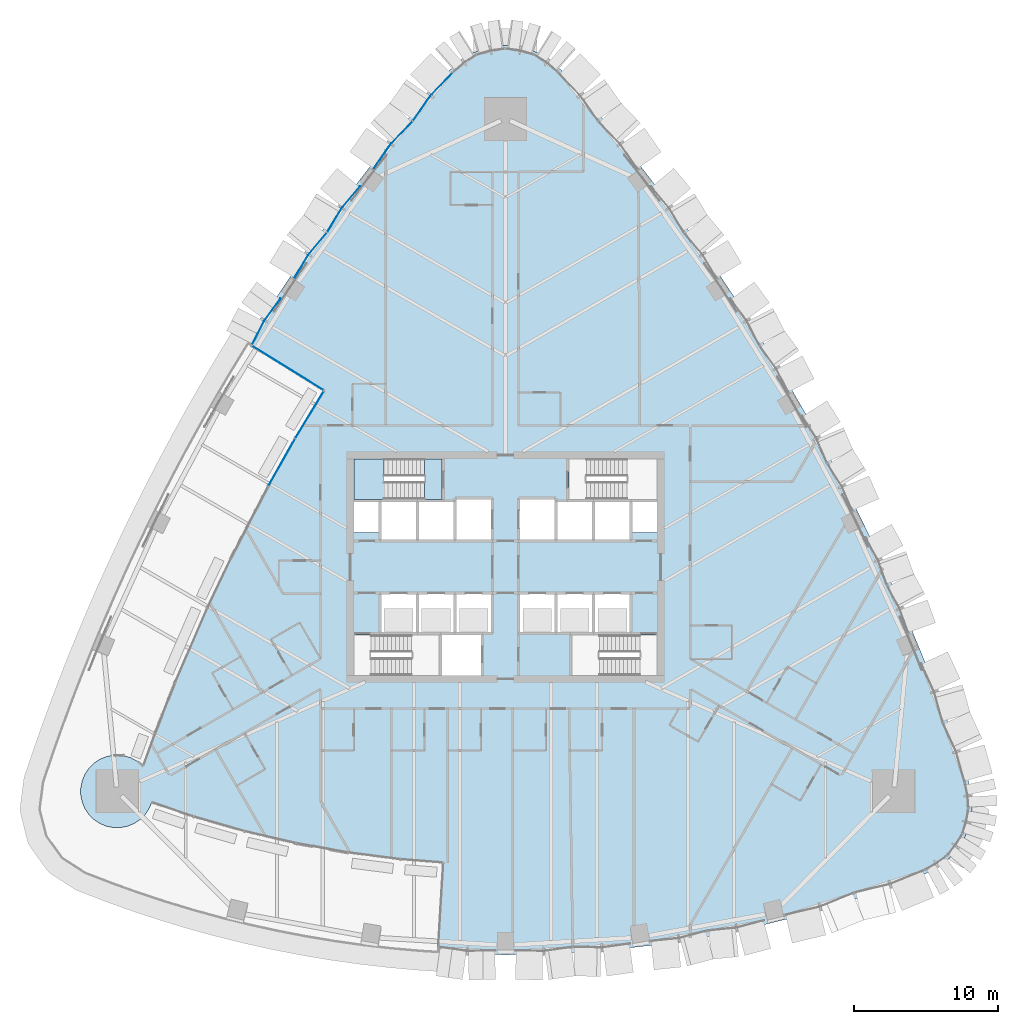
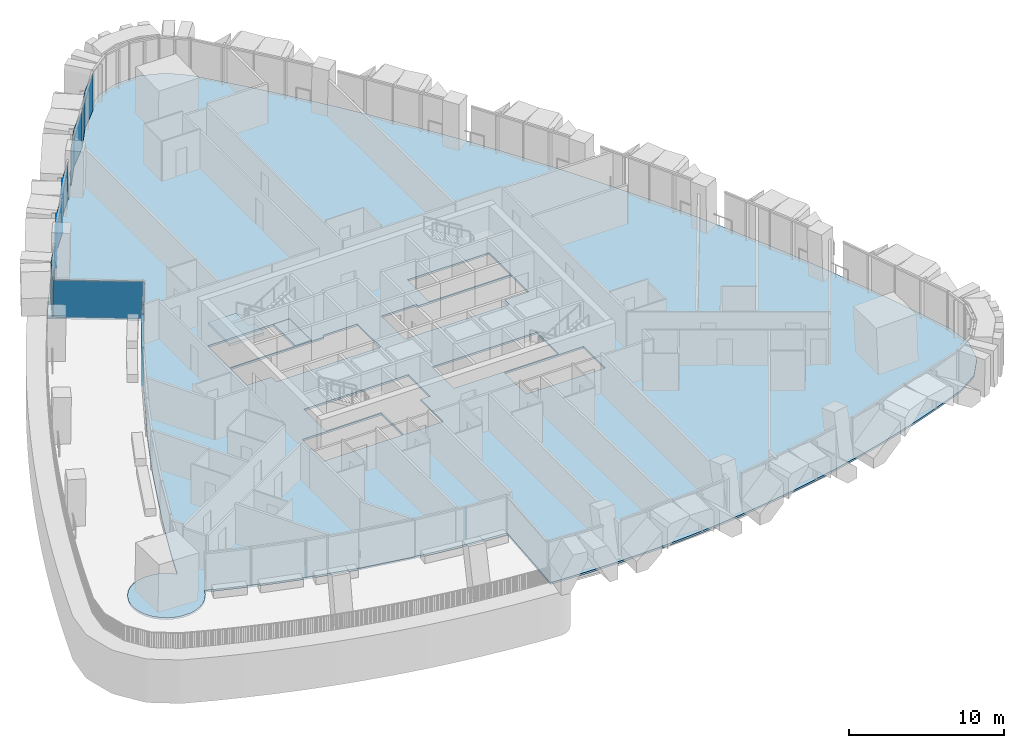
# One storey, part 12 of 24: 13 plates, 3 slabs, 7 elements without a shape of their own.
"""IFC4 building model written with IfcOpenShell, lengths in metres."""

from ifc_helpers import new_model, si_unit, direction, frame, origin, origin_2d, place, context, subcontext, project, spatial, polyline, rectangle, outline, extrude, material, layer, layer_set, type_object, element, aggregate, save


model = new_model("IFC4")

# Units and contexts
model_context = context("Model", 3, precision=1e-05, world=origin(), true_north=direction((0.0, 1.0)))
body_context = subcontext(model_context, "Body", "Model", "MODEL_VIEW")
ifc_project = project(units=[si_unit("LENGTHUNIT", "METRE"), si_unit("AREAUNIT", "SQUARE_METRE"), si_unit("VOLUMEUNIT", "CUBIC_METRE"), si_unit("PLANEANGLEUNIT", "RADIAN"), si_unit("MASSUNIT", "GRAM", prefix="KILO")], contexts=[model_context])

# Site, building, storey
site_placement = place(None, origin())
site = spatial("IfcSite", under=ifc_project, at=site_placement, CompositionType="ELEMENT")
building_placement = place(site_placement, origin())
building = spatial("IfcBuilding", under=site, at=building_placement, Name="Sierra Prisma Convention Tower", CompositionType="ELEMENT")
storey_placement = place(building_placement, frame((0.0, 0.0, 59.10009765625)))
storey = spatial("IfcBuildingStorey", under=building, at=storey_placement, Name="L10", CompositionType="ELEMENT", Elevation=59.10009765625)

# Curtain wall, plates
ifc_material_1 = material(Name="Aluminium and glass curtain wall", Category="aluminium")
ifc_layer_1 = layer(ifc_material_1, 0.179931640625)
ifc_layer_set_1 = layer_set([ifc_layer_1], Name="CW-2 Faceted crystal curtain wall")
curtain_wall_type_1 = type_object("IfcCurtainWallType", Name="CW-2 Faceted crystal curtain wall", PredefinedType="NOTDEFINED", material=ifc_layer_set_1)
curtain_wall_1_placement = place(storey_placement, origin())
curtain_wall_1 = element("IfcCurtainWall", 1, at=curtain_wall_1_placement, inside=storey, type_object=curtain_wall_type_1, Name="CW-2 NW1 L10", PredefinedType="NOTDEFINED")
ifc_material_2 = material(Name="Tinted glass bronze-grey IGU", Category="glass")
ifc_layer_2 = layer(ifc_material_2, 0.028076171875)
ifc_layer_set_2 = layer_set([ifc_layer_2], Name="CW-2 crystal pane")
plate_type_1 = type_object("IfcPlateType", Name="CW-2 crystal pane", PredefinedType="CURTAIN_PANEL", material=ifc_layer_set_2)
plate_1_placement = place(storey_placement, frame((-3.696533203125, 34.22265625, 0.0), z_axis=(-0.720359304701, 0.693601090059, 0.0), x_axis=(-0.693601090059, -0.720359304701, 0.0)))
plate_1 = element("IfcPlate", 2, at=plate_1_placement, type_object=plate_type_1, Name="CW-2 pane NW1.1.1", PredefinedType="CURTAIN_PANEL", context=body_context, shape_type="SweptSolid", body=[
    extrude(outline(polyline([(0.0, 0.0), (2.0802607066655217, 0.0), (2.0802607066655217, 2.97998046875), (0.0, 2.97998046875), (0.0, 0.0)])), origin(), (0.0, 0.0, -1.0), 0.028076171875),
])
plate_2_placement = place(storey_placement, frame((-6.41259765625, 30.918212890625, 0.0), z_axis=(-0.819942494404, 0.572445897768, 0.0), x_axis=(0.572445897768, 0.819942494404, 0.0)))
plate_2 = element("IfcPlate", 3, at=plate_2_placement, type_object=plate_type_1, Name="CW-2 pane NW1.1.2", PredefinedType="CURTAIN_PANEL", context=body_context, shape_type="SweptSolid", body=[
    extrude(outline(polyline([(0.0, 0.0), (2.0804026605735757, 0.0), (2.0804026605735757, -2.9799804687500004), (0.0, -2.9799804687500004), (0.0, 0.0)])), origin(), (0.0, 0.0, -1.0), 0.028076171875),
])
plate_3_placement = place(storey_placement, frame((-6.45703125, 30.864013671875, 0.0), z_axis=(-0.720359304701, 0.693601090059, 0.0), x_axis=(-0.693601090059, -0.720359304701, 0.0)))
plate_3 = element("IfcPlate", 4, at=plate_3_placement, type_object=plate_type_1, Name="CW-2 pane NW1.2.1", PredefinedType="CURTAIN_PANEL", context=body_context, shape_type="SweptSolid", body=[
    extrude(outline(polyline([(0.0, 0.0), (2.0802607066655217, 0.0), (2.0802607066655217, 2.97998046875), (0.0, 2.97998046875), (0.0, 0.0)])), origin(), (0.0, 0.0, -1.0), 0.028076171875),
])
plate_4_placement = place(storey_placement, frame((-9.1728515625, 27.5595703125, 0.0), z_axis=(-0.819997576408, 0.572366993008, 0.0), x_axis=(0.572366993008, 0.819997576408, 0.0)))
plate_4 = element("IfcPlate", 5, at=plate_4_placement, type_object=plate_type_1, Name="CW-2 pane NW1.2.2", PredefinedType="CURTAIN_PANEL", context=body_context, shape_type="SweptSolid", body=[
    extrude(outline(polyline([(0.0, 0.0), (2.0802629129059214, 0.0), (2.0802629129059214, -2.97998046875), (0.0, -2.97998046875), (0.0, 0.0)])), origin(), (0.0, 0.0, -1.0), 0.028076171875),
])
aggregate(curtain_wall_1, [plate_1, plate_2, plate_3, plate_4])

curtain_wall_2_placement = place(storey_placement, origin())
curtain_wall_2 = element("IfcCurtainWall", 6, at=curtain_wall_2_placement, inside=storey, type_object=curtain_wall_type_1, Name="CW-2 NW2 L10", PredefinedType="NOTDEFINED")
plate_5_placement = place(storey_placement, frame((-10.083740234375, 26.38037109375, 0.0), z_axis=(-0.765350499277, 0.643613714317, 0.0), x_axis=(-0.643613714317, -0.765350499277, 0.0)))
plate_5 = element("IfcPlate", 7, at=plate_5_placement, type_object=plate_type_1, Name="CW-2 pane NW2.1.1", PredefinedType="CURTAIN_PANEL", context=body_context, shape_type="SweptSolid", body=[
    extrude(outline(polyline([(0.0, 0.0), (1.8871561968867088, 0.0), (1.8871561968867088, 2.97998046875), (0.0, 2.97998046875), (0.0, 0.0)])), origin(), (0.0, 0.0, -1.0), 0.028076171875),
])
plate_6_placement = place(storey_placement, frame((-12.34765625, 23.21435546875, 0.0), z_axis=(-0.856555480206, 0.516054947975, 0.0), x_axis=(0.516054947975, 0.856555480206, 0.0)))
plate_6 = element("IfcPlate", 8, at=plate_6_placement, type_object=plate_type_1, Name="CW-2 pane NW2.1.2", PredefinedType="CURTAIN_PANEL", context=body_context, shape_type="SweptSolid", body=[
    extrude(outline(polyline([(0.0, 0.0), (1.887157476053372, 0.0), (1.887157476053372, -2.97998046875), (0.0, -2.97998046875), (0.0, 0.0)])), origin(), (0.0, 0.0, -1.0), 0.028076171875),
])
plate_7_placement = place(storey_placement, frame((-12.388427734375, 23.1572265625, 0.0), z_axis=(-0.765296901437, 0.643677444573, 0.0), x_axis=(-0.643677444573, -0.765296901437, 0.0)))
plate_7 = element("IfcPlate", 9, at=plate_7_placement, type_object=plate_type_1, Name="CW-2 pane NW2.2.1", PredefinedType="CURTAIN_PANEL", context=body_context, shape_type="SweptSolid", body=[
    extrude(outline(polyline([(0.0, 0.0), (1.8869693502798528, 0.0), (1.8869693502798528, 2.97998046875), (0.0, 2.97998046875), (0.0, 0.0)])), origin(), (0.0, 0.0, -1.0), 0.028076171875),
])
plate_8_placement = place(storey_placement, frame((-14.65234375, 19.9912109375, 0.0), z_axis=(-0.856555480206, 0.516054947975, 0.0), x_axis=(0.516054947975, 0.856555480206, 0.0)))
plate_8 = element("IfcPlate", 10, at=plate_8_placement, type_object=plate_type_1, Name="CW-2 pane NW2.2.2", PredefinedType="CURTAIN_PANEL", context=body_context, shape_type="SweptSolid", body=[
    extrude(outline(polyline([(0.0, 0.0), (1.887157476053372, 0.0), (1.887157476053372, -2.97998046875), (0.0, -2.97998046875), (0.0, 0.0)])), origin(), (0.0, 0.0, -1.0), 0.028076171875),
])
aggregate(curtain_wall_2, [plate_5, plate_6, plate_7, plate_8])

curtain_wall_3_placement = place(storey_placement, origin())
curtain_wall_3 = element("IfcCurtainWall", 11, at=curtain_wall_3_placement, inside=storey, type_object=curtain_wall_type_1, Name="CW-2 NW3 L10", PredefinedType="NOTDEFINED")
plate_9_placement = place(storey_placement, frame((-15.5810546875, 18.614990234375, 0.0), z_axis=(-0.806795702724, 0.590830512132, 0.0), x_axis=(-0.590830512132, -0.806795702724, 0.0)))
plate_9 = element("IfcPlate", 12, at=plate_9_placement, type_object=plate_type_1, Name="CW-2 pane NW3.1.1", PredefinedType="CURTAIN_PANEL", context=body_context, shape_type="SweptSolid", body=[
    extrude(outline(polyline([(0.0, 0.0), (1.8268279666699416, 0.0), (1.8268279666699416, 2.97998046875), (0.0, 2.97998046875), (0.0, 0.0)])), origin(), (0.0, 0.0, -1.0), 0.028076171875),
])
plate_10_placement = place(storey_placement, frame((-17.564208984375, 15.40625, 0.0), z_axis=(-0.889264509784, 0.457393300825, 0.0), x_axis=(0.457393300825, 0.889264509784, 0.0)))
plate_10 = element("IfcPlate", 13, at=plate_10_placement, type_object=plate_type_1, Name="CW-2 pane NW3.1.2", PredefinedType="CURTAIN_PANEL", context=body_context, shape_type="SweptSolid", body=[
    extrude(outline(polyline([(0.0, 0.0), (1.827078266926972, 0.0), (1.827078266926972, -2.97998046875), (0.0, -2.97998046875), (0.0, 0.0)])), origin(), (0.0, 0.0, -1.0), 0.028076171875),
])
aggregate(curtain_wall_3, [plate_9, plate_10])

# Curtain wall, plate
ifc_material_3 = material(Name="Aluminium and glass curtain wall", Category="aluminium")
ifc_layer_3 = layer(ifc_material_3, 0.179931640625)
ifc_layer_set_3 = layer_set([ifc_layer_3], Name="CW-6 Terrace recess curtain wall")
curtain_wall_type_2 = type_object("IfcCurtainWallType", Name="CW-6 Terrace recess curtain wall", PredefinedType="NOTDEFINED", material=ifc_layer_set_3)
curtain_wall_4_placement = place(storey_placement, origin())
curtain_wall_4 = element("IfcCurtainWall", 14, at=curtain_wall_4_placement, inside=storey, type_object=curtain_wall_type_2, Name="CW-6 R1 L10", PredefinedType="NOTDEFINED")
ifc_material_4 = material(Name="Tinted glass bronze-grey IGU", Category="glass")
ifc_layer_4 = layer(ifc_material_4, 0.028076171875)
ifc_layer_set_4 = layer_set([ifc_layer_4], Name="CW-6 glass panel")
plate_type_2 = type_object("IfcPlateType", Name="CW-6 glass panel", PredefinedType="CURTAIN_PANEL", material=ifc_layer_set_4)
plate_11_placement = place(storey_placement, frame((-13.553466796875, 10.576416015625, 0.0), z_axis=(0.0, 0.0, 1.0), x_axis=(-0.518035025913, -0.85535940512, 0.0)))
plate_11 = element("IfcPlate", 15, at=plate_11_placement, type_object=plate_type_2, Name="CW-6 panel R1.1", PredefinedType="CURTAIN_PANEL", context=body_context, shape_type="SweptSolid", body=[
    extrude(rectangle(XDim=3.719970703125, YDim=0.028076171875, at=origin_2d()), origin(), (0.0, 0.0, 1.0), 2.919921875),
])
aggregate(curtain_wall_4, [plate_11])

curtain_wall_5_placement = place(storey_placement, origin())
curtain_wall_5 = element("IfcCurtainWall", 16, at=curtain_wall_5_placement, inside=storey, type_object=curtain_wall_type_2, Name="CW-6 R2 L10", PredefinedType="NOTDEFINED")
plate_12_placement = place(storey_placement, frame((-15.478759765625, 7.28271484375, 0.0), z_axis=(0.0, 0.0, 1.0), x_axis=(-0.490829383856, -0.871255712144, 0.0)))
plate_12 = element("IfcPlate", 17, at=plate_12_placement, type_object=plate_type_2, Name="CW-6 panel R2.1", PredefinedType="CURTAIN_PANEL", context=body_context, shape_type="SweptSolid", body=[
    extrude(rectangle(XDim=3.63134765625, YDim=0.028076171875, at=origin_2d()), origin(), (0.0, 0.0, 1.0), 2.919921875),
])
aggregate(curtain_wall_5, [plate_12])

curtain_wall_6_placement = place(storey_placement, origin())
curtain_wall_6 = element("IfcCurtainWall", 18, at=curtain_wall_6_placement, inside=storey, type_object=curtain_wall_type_2, Name="CW-6 RT1 L10", PredefinedType="NOTDEFINED")
plate_13_placement = place(storey_placement, frame((-15.0771484375, 13.787109375, 0.0), z_axis=(0.0, 0.0, 1.0), x_axis=(0.850648836888, -0.525734302002, 0.0)))
plate_13 = element("IfcPlate", 19, at=plate_13_placement, type_object=plate_type_2, Name="CW-6 panel RT1.1", PredefinedType="CURTAIN_PANEL", context=body_context, shape_type="SweptSolid", body=[
    extrude(rectangle(XDim=5.79345703125, YDim=0.028076171875, at=origin_2d()), origin(), (0.0, 0.0, 1.0), 2.919921875),
])
aggregate(curtain_wall_6, [plate_13])

# Slab
ifc_material_5 = material(Name="Concrete C35/45", Category="concrete")
ifc_layer_5 = layer(ifc_material_5, 0.14990234375)
ifc_layer_set_5 = layer_set([ifc_layer_5], Name="Composite floor slab 150")
slab_type_1 = type_object("IfcSlabType", Name="Composite floor slab 150", PredefinedType="FLOOR", material=ifc_layer_set_5)
slab_1_placement = place(storey_placement, frame((0.0, 0.0, -0.150146484375)))
element("IfcSlab", 20, at=slab_1_placement, inside=storey, type_object=slab_type_1, Name="Floor slab L10 floor", PredefinedType="FLOOR", context=body_context, shape_type="SweptSolid", body=[
    extrude(outline(polyline([(-16.873779296875, 17.120361328125), (-17.87939453125, 15.522216796875), (-12.553466796875, 12.227294921875), (-14.55322265625, 8.92578125), (-16.404296875, 5.639892578125), (-19.0078125, 0.617919921875), (-20.62646484375, -2.78857421875), (-22.875, -7.979248046875), (-24.253173828125, -11.48974609375), (-25.08984375, -13.78173828125), (-25.501220703125, -13.435546875), (-25.937255859375, -13.20263671875), (-26.41015625, -13.05908203125), (-27.149169921875, -13.022705078125), (-27.634033203125, -13.119140625), (-28.090576171875, -13.308349609375), (-28.501708984375, -13.5830078125), (-28.85107421875, -13.932373046875), (-29.125732421875, -14.343505859375), (-29.31494140625, -14.800048828125), (-29.411376953125, -15.284912109375), (-29.411376953125, -15.779052734375), (-29.31494140625, -16.263916015625), (-29.125732421875, -16.720458984375), (-28.85107421875, -17.13134765625), (-28.501708984375, -17.48095703125), (-28.090576171875, -17.755615234375), (-27.634033203125, -17.944580078125), (-27.149169921875, -18.041015625), (-26.655029296875, -18.041015625), (-26.170166015625, -17.944580078125), (-25.713623046875, -17.755615234375), (-25.302490234375, -17.48095703125), (-24.953125, -17.13134765625), (-24.678466796875, -16.720458984375), (-24.496826171875, -16.28515625), (-21.622802734375, -17.2646484375), (-19.87060546875, -17.79296875), (-18.10546875, -18.276611328125), (-14.541015625, -19.108154296875), (-10.93896484375, -19.757080078125), (-9.126708984375, -20.0126953125), (-7.308349609375, -20.221923828125), (-4.305419921875, -20.460205078125), (-4.681396484375, -26.698974609375), (-3.977294921875, -26.743896484375), (-1.9892578125, -26.81982421875), (0.0, -26.844970703125), (1.9892578125, -26.81982421875), (3.977294921875, -26.743896484375), (5.962646484375, -26.6171875), (7.944091796875, -26.440185546875), (9.92041015625, -26.212646484375), (11.890380859375, -25.934814453125), (13.8525390625, -25.60693359375), (15.8056640625, -25.2294921875), (17.748779296875, -24.802001953125), (19.68017578125, -24.325439453125), (21.598876953125, -23.7998046875), (23.50341796875, -23.225341796875), (25.392822265625, -22.602783203125), (27.265869140625, -21.93212890625), (29.12109375, -21.214111328125), (30.733642578125, -20.1796875), (31.852294921875, -18.62451171875), (32.3203125, -16.766845703125), (32.07177734375, -14.8671875), (31.441162109375, -12.998046875), (30.78466796875, -11.137939453125), (30.102294921875, -9.287109375), (29.394287109375, -7.446044921875), (28.66064453125, -5.61474609375), (27.90185546875, -3.794189453125), (27.11767578125, -1.984130859375), (26.308349609375, -0.18505859375), (25.474365234375, 1.6025390625), (24.615478515625, 3.378173828125), (23.73193359375, 5.14208984375), (22.823974609375, 6.893310546875), (21.891845703125, 8.631591796875), (20.935546875, 10.35693359375), (19.95556640625, 12.06884765625), (18.95166015625, 13.766845703125), (17.92431640625, 15.450927734375), (16.873779296875, 17.120361328125), (15.800048828125, 18.775146484375), (14.703369140625, 20.414794921875), (13.583984375, 22.0390625), (12.442138671875, 23.647705078125), (11.2783203125, 25.240234375), (10.09228515625, 26.81640625), (8.88427734375, 28.3759765625), (7.655029296875, 29.918701171875), (6.404296875, 31.444091796875), (5.132568359375, 32.951904296875), (3.83984375, 34.44189453125), (2.494873046875, 35.5283203125), (0.864501953125, 36.1044921875), (-0.864501953125, 36.1044921875), (-2.494873046875, 35.5283203125), (-3.83984375, 34.44189453125), (-5.132568359375, 32.951904296875), (-6.404296875, 31.444091796875), (-7.655029296875, 29.918701171875), (-8.88427734375, 28.3759765625), (-10.09228515625, 26.81640625), (-11.2783203125, 25.240234375), (-12.442138671875, 23.647705078125), (-13.583984375, 22.0390625), (-14.703369140625, 20.414794921875), (-15.800048828125, 18.775146484375), (-16.873779296875, 17.120361328125)]), holes=[polyline([(-4.60009765625, -7.5), (-10.5, -7.5), (-10.5, -4.699951171875), (-4.60009765625, -4.699951171875), (-4.60009765625, -7.5)]), polyline([(-8.699951171875, -4.60009765625), (-8.699951171875, -1.800048828125), (-6.10009765625, -1.800048828125), (-3.5, -1.800048828125), (-0.89990234375, -1.800048828125), (-0.89990234375, -4.60009765625), (-1.60009765625, -4.60009765625), (-1.60009765625, -7.5), (-4.5, -7.5), (-4.5, -4.60009765625), (-6.10009765625, -4.60009765625), (-8.699951171875, -4.60009765625)]), polyline([(-10.5, 4.60009765625), (-8.699951171875, 4.60009765625), (-6.10009765625, 4.60009765625), (-3.5, 4.60009765625), (-3.5, 4.800048828125), (-0.89990234375, 4.800048828125), (-0.89990234375, 1.800048828125), (-3.5, 1.800048828125), (-6.10009765625, 1.800048828125), (-8.699951171875, 1.800048828125), (-8.699951171875, 2.39990234375), (-10.5, 2.39990234375), (-10.5, 4.60009765625)]), polyline([(-4.39990234375, 4.699951171875), (-10.5, 4.699951171875), (-10.5, 7.5), (-4.39990234375, 7.5), (-4.39990234375, 4.699951171875)]), polyline([(10.5, -7.5), (4.60009765625, -7.5), (4.60009765625, -4.699951171875), (10.5, -4.699951171875), (10.5, -7.5)]), polyline([(6.10009765625, -1.800048828125), (8.699951171875, -1.800048828125), (8.699951171875, -4.60009765625), (6.10009765625, -4.60009765625), (3.5, -4.60009765625), (0.89990234375, -4.60009765625), (0.89990234375, -1.800048828125), (3.5, -1.800048828125), (6.10009765625, -1.800048828125)]), polyline([(10.5, 4.60009765625), (10.5, 2.39990234375), (8.699951171875, 2.39990234375), (8.699951171875, 1.800048828125), (6.10009765625, 1.800048828125), (3.5, 1.800048828125), (0.89990234375, 1.800048828125), (0.89990234375, 4.800048828125), (3.5, 4.800048828125), (3.5, 4.60009765625), (6.10009765625, 4.60009765625), (8.699951171875, 4.60009765625), (10.5, 4.60009765625)]), polyline([(4.39990234375, 4.699951171875), (4.39990234375, 7.5), (10.5, 7.5), (10.5, 4.699951171875), (4.39990234375, 4.699951171875)])]), origin(), (0.0, 0.0, 1.0), 0.150146484375),
])

# Stair, slab
ifc_material_6 = material(Name="Concrete C30/37", Category="concrete")
stair_type = type_object("IfcStairType", Name="Stair dog-leg 1200 RC", PredefinedType="HALF_TURN_STAIR", material=ifc_material_6)
stair_placement = place(storey_placement, origin())
stair = element("IfcStair", 21, at=stair_placement, inside=storey, type_object=stair_type, Name="L10 S3", PredefinedType="HALF_TURN_STAIR")
ifc_material_7 = material(Name="Concrete C35/45", Category="concrete")
ifc_layer_6 = layer(ifc_material_7, 0.199951171875)
ifc_layer_set_6 = layer_set([ifc_layer_6], Name="Stair landing slab")
slab_type_2 = type_object("IfcSlabType", Name="Stair landing slab", PredefinedType="LANDING", material=ifc_layer_set_6)
slab_2_placement = place(storey_placement, frame((0.0, 0.0, 1.64990234375)))
slab_2 = element("IfcSlab", 22, at=slab_2_placement, type_object=slab_type_2, Name="S3 landing 1", PredefinedType="LANDING", context=body_context, shape_type="SweptSolid", body=[
    extrude(outline(polyline([(-7.949951171875, 5.89990234375), (-7.949951171875, 4.699951171875), (-10.5, 4.699951171875), (-10.5, 7.5), (-8.39794921875, 7.5), (-8.39794921875, 5.89990234375), (-7.949951171875, 5.89990234375)])), origin(), (0.0, 0.0, 1.0), 0.199951171875),
])
aggregate(stair, [slab_2])

# Slab
slab_3_placement = place(storey_placement, frame((0.0, 0.0, -0.2001953125)))
element("IfcSlab", 23, at=slab_3_placement, inside=storey, type_object=slab_type_2, Name="S3 floor landing L10", PredefinedType="LANDING", context=body_context, shape_type="SweptSolid", body=[
    extrude(outline(polyline([(-4.39990234375, 7.5), (-5.60205078125, 7.5), (-5.60205078125, 4.699951171875), (-4.39990234375, 4.699951171875), (-4.39990234375, 7.5)])), origin(), (0.0, 0.0, 1.0), 0.2001953125),
])

save(model, "model.ifc")
